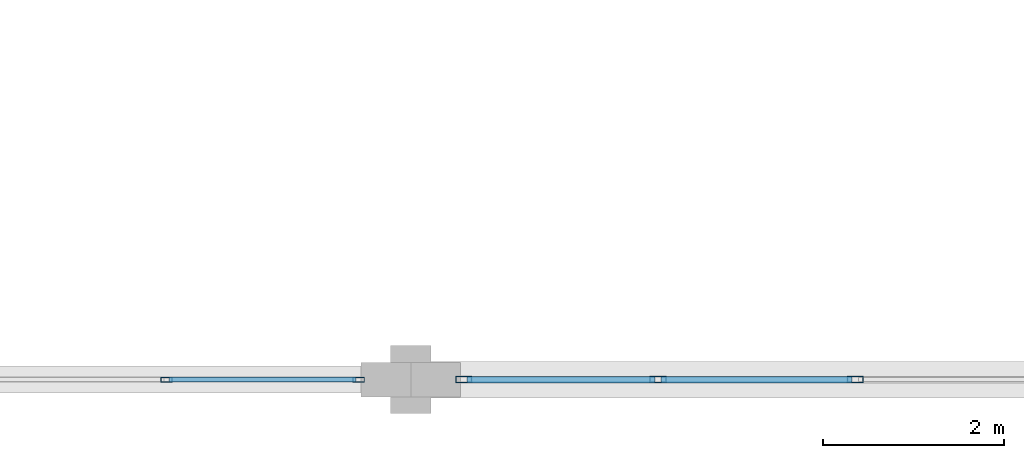
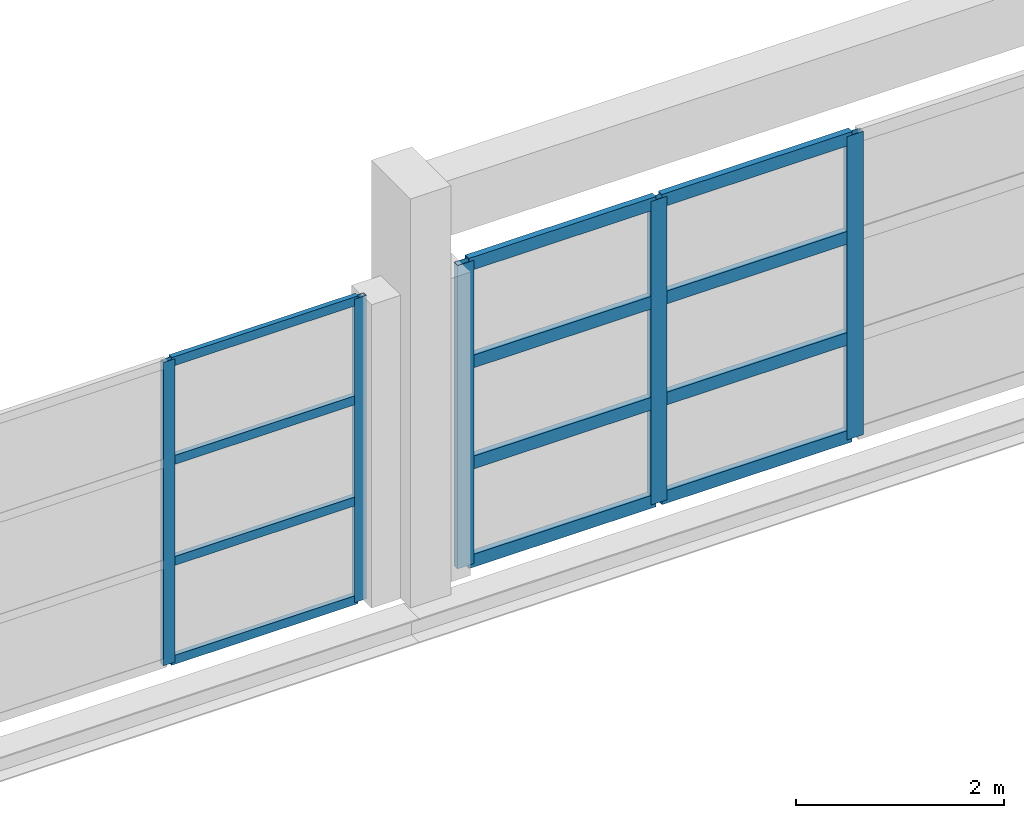
# One storey, part 70 of 147: 17 members, 2 elements without a shape of their own.
"""IFC4 building model written with IfcOpenShell, lengths in metres."""

from ifc_helpers import new_model, si_unit, direction, frame, origin, origin_2d, place, context, subcontext, project, spatial, hollow_rectangle, extrude, material, layer, layer_set, material_profile, profile_set, type_object, element, aggregate, save


model = new_model("IFC4")

# Units and contexts
model_context = context("Model", 3, precision=1e-05, world=origin(), true_north=direction((0.0, 1.0)))
body_context = subcontext(model_context, "Body", "Model", "MODEL_VIEW")
ifc_project = project(units=[si_unit("LENGTHUNIT", "METRE"), si_unit("AREAUNIT", "SQUARE_METRE"), si_unit("VOLUMEUNIT", "CUBIC_METRE"), si_unit("PLANEANGLEUNIT", "RADIAN"), si_unit("MASSUNIT", "GRAM", prefix="KILO")], contexts=[model_context])

# Site, building, storey
site_placement = place(None, origin())
site = spatial("IfcSite", under=ifc_project, at=site_placement, CompositionType="ELEMENT")
building_placement = place(site_placement, origin())
building = spatial("IfcBuilding", under=site, at=building_placement, Name="Zilviju Railside Exhibition Hall", CompositionType="ELEMENT")
storey_placement = place(building_placement, frame((0.0, 0.0, 8.39990234375)))
storey = spatial("IfcBuildingStorey", under=building, at=storey_placement, Name="L03", CompositionType="ELEMENT", Elevation=8.39990234375)

# Curtain wall, members
ifc_material_1 = material(Name="Thermally broken aluminium-steel triple-glazed curtain wall", Category="steel")
ifc_layer_1 = layer(ifc_material_1, 0.179931640625)
ifc_layer_set_1 = layer_set([ifc_layer_1], Name="Thermally broken aluminium-steel triple-glazed curtain wall")
curtain_wall_type_1 = type_object("IfcCurtainWallType", Name="CW-BAY-16", PredefinedType="USERDEFINED", material=ifc_layer_set_1)
curtain_wall_1_placement = place(storey_placement, origin())
curtain_wall_1 = element("IfcCurtainWall", 1, at=curtain_wall_1_placement, inside=storey, type_object=curtain_wall_type_1, Name="South Hall Facade Curtain Wall L03 (127..132)", ObjectType="GLAZED CURTAIN WALL", PredefinedType="USERDEFINED")
ifc_material_2 = material(Name="Thermally broken anodized aluminium mullion", Category="aluminium")
ifc_material_profile_1 = material_profile(ifc_material_2, hollow_rectangle(XDim=0.054931640625, YDim=0.1298828125, WallThickness=0.0048828125, at=origin_2d()), Name="MULLION 130x55x5")
ifc_profile_set_1 = profile_set([ifc_material_profile_1], Name="Thermally broken anodized aluminium mullion")
member_type_1 = type_object("IfcMemberType", Name="CWM-55x130", PredefinedType="MULLION", material=ifc_profile_set_1)
member_1_placement = place(storey_placement, frame((131.422607421875, 0.0, 0.0), z_axis=(0.0, 0.0, 1.0), x_axis=(0.0, -1.0, 0.0)))
member_1 = element("IfcMember", 2, at=member_1_placement, type_object=member_type_1, Name="CW-16 mullion 1", PredefinedType="MULLION", context=body_context, shape_type="SweptSolid", body=[
    extrude(hollow_rectangle(XDim=0.054931640625, YDim=0.1298828125, WallThickness=0.0048828125, at=origin_2d()), origin(), (0.0, 0.0, 1.0), 3.56005859375),
])
member_2_placement = place(storey_placement, frame((129.300048828125, 0.0, 0.0), z_axis=(0.0, 0.0, 1.0), x_axis=(0.0, -1.0, 0.0)))
member_2 = element("IfcMember", 3, at=member_2_placement, type_object=member_type_1, Name="CW-16 mullion 2", PredefinedType="MULLION", context=body_context, shape_type="SweptSolid", body=[
    extrude(hollow_rectangle(XDim=0.054931640625, YDim=0.1298828125, WallThickness=0.0048828125, at=origin_2d()), origin(), (0.0, 0.0, 1.0), 3.56005859375),
])

ifc_layer_2 = layer(ifc_material_1, 0.179931640625)
ifc_layer_set_2 = layer_set([ifc_layer_2], Name="Thermally broken aluminium-steel triple-glazed curtain wall")
curtain_wall_type_2 = type_object("IfcCurtainWallType", Name="CW-BAY-17", PredefinedType="USERDEFINED", material=ifc_layer_set_2)
curtain_wall_2_placement = place(storey_placement, origin())
curtain_wall_2 = element("IfcCurtainWall", 4, at=curtain_wall_2_placement, inside=storey, type_object=curtain_wall_type_2, Name="South Hall Facade Curtain Wall L03 (132..144)", ObjectType="GLAZED CURTAIN WALL", PredefinedType="USERDEFINED")
ifc_material_profile_2 = material_profile(ifc_material_2, hollow_rectangle(XDim=0.070068359375, YDim=0.179931640625, WallThickness=0.0048828125, at=origin_2d()), Name="MULLION 180x70x5")
ifc_profile_set_2 = profile_set([ifc_material_profile_2], Name="Thermally broken anodized aluminium mullion")
member_type_2 = type_object("IfcMemberType", Name="CWM-70x180", PredefinedType="MULLION", material=ifc_profile_set_2)
member_3_placement = place(storey_placement, frame((136.909912109375, 0.0, 0.0), z_axis=(0.0, 0.0, 1.0), x_axis=(0.0, -1.0, 0.0)))
member_3 = element("IfcMember", 5, at=member_3_placement, type_object=member_type_2, Name="CW-17 mullion 4", PredefinedType="MULLION", context=body_context, shape_type="SweptSolid", body=[
    extrude(hollow_rectangle(XDim=0.070068359375, YDim=0.179931640625, WallThickness=0.0048828125, at=origin_2d()), origin(), (0.0, 0.0, 1.0), 3.56005859375),
])
member_4_placement = place(storey_placement, frame((134.72998046875, 0.0, 0.0), z_axis=(0.0, 0.0, 1.0), x_axis=(0.0, -1.0, 0.0)))
member_4 = element("IfcMember", 6, at=member_4_placement, type_object=member_type_2, Name="CW-17 mullion 5", PredefinedType="MULLION", context=body_context, shape_type="SweptSolid", body=[
    extrude(hollow_rectangle(XDim=0.070068359375, YDim=0.179931640625, WallThickness=0.0048828125, at=origin_2d()), origin(), (0.0, 0.0, 1.0), 3.56005859375),
])
member_5_placement = place(storey_placement, frame((132.5849609375, 0.0, 0.0), z_axis=(0.0, 0.0, 1.0), x_axis=(0.0, -1.0, 0.0)))
member_5 = element("IfcMember", 7, at=member_5_placement, type_object=member_type_2, Name="CW-17 mullion 6", PredefinedType="MULLION", context=body_context, shape_type="SweptSolid", body=[
    extrude(hollow_rectangle(XDim=0.070068359375, YDim=0.179931640625, WallThickness=0.0048828125, at=origin_2d()), origin(), (0.0, 0.0, 1.0), 3.56005859375),
])

# Member
ifc_material_3 = material(Name="Thermally broken anodized aluminium transom", Category="aluminium")
ifc_material_profile_3 = material_profile(ifc_material_3, hollow_rectangle(XDim=0.054931640625, YDim=0.10498046875, WallThickness=0.0048828125, at=origin_2d()), Name="TRANSOM 105x55x5")
ifc_profile_set_3 = profile_set([ifc_material_profile_3], Name="Thermally broken anodized aluminium transom")
member_type_3 = type_object("IfcMemberType", Name="CWT-55x105", PredefinedType="USERDEFINED", material=ifc_profile_set_3)
member_6_placement = place(storey_placement, frame((131.39501953125, 0.0, 0.027587890625), z_axis=(-1.0, 0.0, 0.0), x_axis=(0.0, -1.0, 0.0)))
member_6 = element("IfcMember", 8, at=member_6_placement, type_object=member_type_3, Name="CW-16 transom 1.1", ObjectType="TRANSOM", PredefinedType="USERDEFINED", context=body_context, shape_type="SweptSolid", body=[
    extrude(hollow_rectangle(XDim=0.054931640625, YDim=0.10498046875, WallThickness=0.0048828125, at=origin_2d()), origin(), (0.0, 0.0, 1.0), 2.067626953125),
])

member_7_placement = place(storey_placement, frame((131.39501953125, 0.0, 1.18701171875), z_axis=(-1.0, 0.0, 0.0), x_axis=(0.0, -1.0, 0.0)))
member_7 = element("IfcMember", 9, at=member_7_placement, type_object=member_type_3, Name="CW-16 transom 1.2", ObjectType="TRANSOM", PredefinedType="USERDEFINED", context=body_context, shape_type="SweptSolid", body=[
    extrude(hollow_rectangle(XDim=0.054931640625, YDim=0.10498046875, WallThickness=0.0048828125, at=origin_2d()), origin(), (0.0, 0.0, 1.0), 2.067626953125),
])

member_8_placement = place(storey_placement, frame((131.39501953125, 0.0, 2.373046875), z_axis=(-1.0, 0.0, 0.0), x_axis=(0.0, -1.0, 0.0)))
member_8 = element("IfcMember", 10, at=member_8_placement, type_object=member_type_3, Name="CW-16 transom 1.3", ObjectType="TRANSOM", PredefinedType="USERDEFINED", context=body_context, shape_type="SweptSolid", body=[
    extrude(hollow_rectangle(XDim=0.054931640625, YDim=0.10498046875, WallThickness=0.0048828125, at=origin_2d()), origin(), (0.0, 0.0, 1.0), 2.067626953125),
])

member_9_placement = place(storey_placement, frame((131.39501953125, 0.0, 3.53271484375), z_axis=(-1.0, 0.0, 0.0), x_axis=(0.0, -1.0, 0.0)))
member_9 = element("IfcMember", 11, at=member_9_placement, type_object=member_type_3, Name="CW-16 transom 1.4", ObjectType="TRANSOM", PredefinedType="USERDEFINED", context=body_context, shape_type="SweptSolid", body=[
    extrude(hollow_rectangle(XDim=0.054931640625, YDim=0.10498046875, WallThickness=0.0048828125, at=origin_2d()), origin(), (0.0, 0.0, 1.0), 2.067626953125),
])

aggregate(curtain_wall_1, [member_1, member_2, member_6, member_7, member_8, member_9])

ifc_material_profile_4 = material_profile(ifc_material_3, hollow_rectangle(XDim=0.070068359375, YDim=0.14990234375, WallThickness=0.0048828125, at=origin_2d()), Name="TRANSOM 150x70x5")
ifc_profile_set_4 = profile_set([ifc_material_profile_4], Name="Thermally broken anodized aluminium transom")
member_type_4 = type_object("IfcMemberType", Name="CWT-70x150", PredefinedType="USERDEFINED", material=ifc_profile_set_4)
member_10_placement = place(storey_placement, frame((136.875, 0.0, 0.03515625), z_axis=(-1.0, 0.0, 0.0), x_axis=(0.0, -1.0, 0.0)))
member_10 = element("IfcMember", 12, at=member_10_placement, type_object=member_type_4, Name="CW-17 transom 4.1", ObjectType="TRANSOM", PredefinedType="USERDEFINED", context=body_context, shape_type="SweptSolid", body=[
    extrude(hollow_rectangle(XDim=0.070068359375, YDim=0.14990234375, WallThickness=0.0048828125, at=origin_2d()), origin(), (0.0, 0.0, 1.0), 2.110107421875),
])

member_11_placement = place(storey_placement, frame((136.875, 0.0, 1.18701171875), z_axis=(-1.0, 0.0, 0.0), x_axis=(0.0, -1.0, 0.0)))
member_11 = element("IfcMember", 13, at=member_11_placement, type_object=member_type_4, Name="CW-17 transom 4.2", ObjectType="TRANSOM", PredefinedType="USERDEFINED", context=body_context, shape_type="SweptSolid", body=[
    extrude(hollow_rectangle(XDim=0.070068359375, YDim=0.14990234375, WallThickness=0.0048828125, at=origin_2d()), origin(), (0.0, 0.0, 1.0), 2.110107421875),
])

member_12_placement = place(storey_placement, frame((136.875, 0.0, 2.373046875), z_axis=(-1.0, 0.0, 0.0), x_axis=(0.0, -1.0, 0.0)))
member_12 = element("IfcMember", 14, at=member_12_placement, type_object=member_type_4, Name="CW-17 transom 4.3", ObjectType="TRANSOM", PredefinedType="USERDEFINED", context=body_context, shape_type="SweptSolid", body=[
    extrude(hollow_rectangle(XDim=0.070068359375, YDim=0.14990234375, WallThickness=0.0048828125, at=origin_2d()), origin(), (0.0, 0.0, 1.0), 2.110107421875),
])

member_13_placement = place(storey_placement, frame((136.875, 0.0, 3.525146484375), z_axis=(-1.0, 0.0, 0.0), x_axis=(0.0, -1.0, 0.0)))
member_13 = element("IfcMember", 15, at=member_13_placement, type_object=member_type_4, Name="CW-17 transom 4.4", ObjectType="TRANSOM", PredefinedType="USERDEFINED", context=body_context, shape_type="SweptSolid", body=[
    extrude(hollow_rectangle(XDim=0.070068359375, YDim=0.14990234375, WallThickness=0.0048828125, at=origin_2d()), origin(), (0.0, 0.0, 1.0), 2.110107421875),
])

member_14_placement = place(storey_placement, frame((134.695068359375, 0.0, 0.03515625), z_axis=(-1.0, 0.0, 0.0), x_axis=(0.0, -1.0, 0.0)))
member_14 = element("IfcMember", 16, at=member_14_placement, type_object=member_type_4, Name="CW-17 transom 5.1", ObjectType="TRANSOM", PredefinedType="USERDEFINED", context=body_context, shape_type="SweptSolid", body=[
    extrude(hollow_rectangle(XDim=0.070068359375, YDim=0.14990234375, WallThickness=0.0048828125, at=origin_2d()), origin(), (0.0, 0.0, 1.0), 2.074951171875),
])

member_15_placement = place(storey_placement, frame((134.695068359375, 0.0, 1.18701171875), z_axis=(-1.0, 0.0, 0.0), x_axis=(0.0, -1.0, 0.0)))
member_15 = element("IfcMember", 17, at=member_15_placement, type_object=member_type_4, Name="CW-17 transom 5.2", ObjectType="TRANSOM", PredefinedType="USERDEFINED", context=body_context, shape_type="SweptSolid", body=[
    extrude(hollow_rectangle(XDim=0.070068359375, YDim=0.14990234375, WallThickness=0.0048828125, at=origin_2d()), origin(), (0.0, 0.0, 1.0), 2.074951171875),
])

member_16_placement = place(storey_placement, frame((134.695068359375, 0.0, 2.373046875), z_axis=(-1.0, 0.0, 0.0), x_axis=(0.0, -1.0, 0.0)))
member_16 = element("IfcMember", 18, at=member_16_placement, type_object=member_type_4, Name="CW-17 transom 5.3", ObjectType="TRANSOM", PredefinedType="USERDEFINED", context=body_context, shape_type="SweptSolid", body=[
    extrude(hollow_rectangle(XDim=0.070068359375, YDim=0.14990234375, WallThickness=0.0048828125, at=origin_2d()), origin(), (0.0, 0.0, 1.0), 2.074951171875),
])

member_17_placement = place(storey_placement, frame((134.695068359375, 0.0, 3.525146484375), z_axis=(-1.0, 0.0, 0.0), x_axis=(0.0, -1.0, 0.0)))
member_17 = element("IfcMember", 19, at=member_17_placement, type_object=member_type_4, Name="CW-17 transom 5.4", ObjectType="TRANSOM", PredefinedType="USERDEFINED", context=body_context, shape_type="SweptSolid", body=[
    extrude(hollow_rectangle(XDim=0.070068359375, YDim=0.14990234375, WallThickness=0.0048828125, at=origin_2d()), origin(), (0.0, 0.0, 1.0), 2.074951171875),
])

aggregate(curtain_wall_2, [member_3, member_4, member_5, member_10, member_11, member_12, member_13, member_14, member_15, member_16, member_17])

save(model, "model.ifc")
